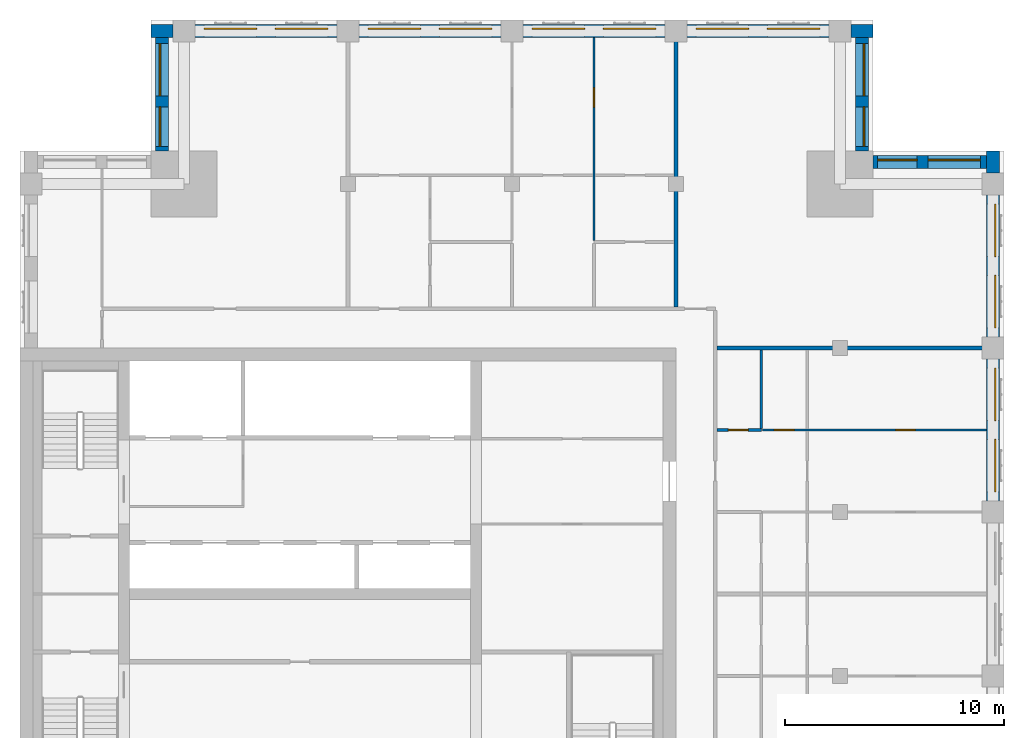
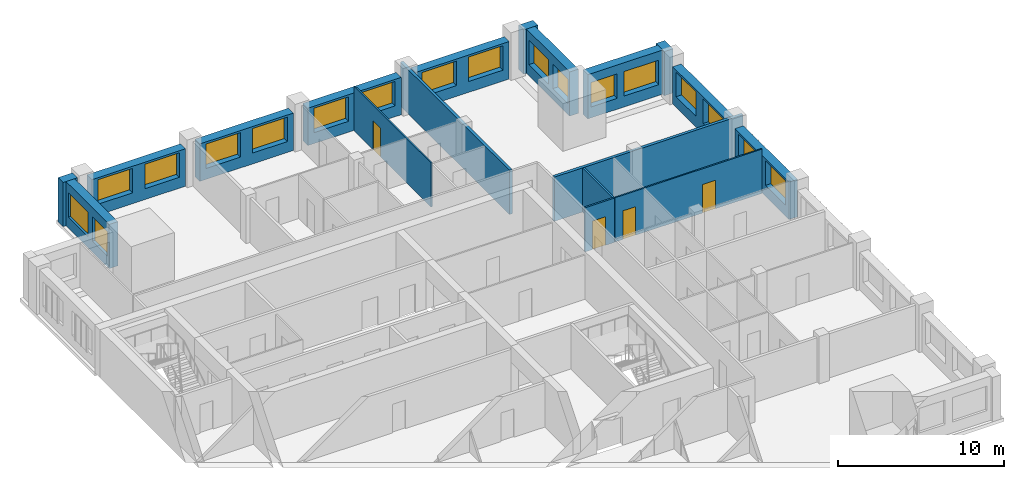
# One storey, part 7 of 10: 18 walls, 18 windows, 4 doors, 22 openings.
"""IFC4 building model written with IfcOpenShell, lengths in metres."""

from ifc_helpers import new_model, si_unit, direction, frame, frame_2d, origin, place, context, subcontext, project, spatial, rectangle, extrude, material, layer, layer_set, type_object, element, fill, save


model = new_model("IFC4")

# Units and contexts
model_context = context("Model", 3, precision=1e-05, world=origin(), true_north=direction((0.0, 1.0)))
body_context = subcontext(model_context, "Body", "Model", "MODEL_VIEW")
ifc_project = project(units=[si_unit("LENGTHUNIT", "METRE"), si_unit("AREAUNIT", "SQUARE_METRE"), si_unit("VOLUMEUNIT", "CUBIC_METRE"), si_unit("PLANEANGLEUNIT", "RADIAN"), si_unit("MASSUNIT", "GRAM", prefix="KILO")], contexts=[model_context])

# Site, building, storey
site_placement = place(None, origin())
site = spatial("IfcSite", under=ifc_project, at=site_placement, CompositionType="ELEMENT")
building_placement = place(site_placement, origin())
building = spatial("IfcBuilding", under=site, at=building_placement, Name="Tamorin Gate", CompositionType="ELEMENT")
storey_placement = place(building_placement, frame((0.0, 0.0, 269.699951171875)))
storey = spatial("IfcBuildingStorey", under=building, at=storey_placement, Name="L67", CompositionType="ELEMENT", Elevation=269.699951171875)

# Wall, openings, windows
ifc_material_1 = material(Name="Precast concrete C40/50", Category="concrete")
ifc_layer_1 = layer(ifc_material_1, 0.60009765625)
ifc_layer_set_1 = layer_set([ifc_layer_1], Name="Precast concrete C40/50")
wall_type_1 = type_object("IfcWallType", Name="Board-marked concrete facade panel 600", PredefinedType="SOLIDWALL", material=ifc_layer_set_1)
wall_1_placement = place(storey_placement, frame((74.5, 75.5, 0.0), z_axis=(0.0, 0.0, 1.0), x_axis=(0.0, 1.0, 0.0)))
wall_1 = element("IfcWall", 1, at=wall_1_placement, inside=storey, type_object=wall_type_1, Name="Facade panel", PredefinedType="SOLIDWALL", context=body_context, shape_type="SweptSolid", body=[
    extrude(rectangle(XDim=6.5, YDim=0.60009765625, at=frame_2d((3.25, 0.0))), origin(), (0.0, 0.0, 1.0), 2.75),
])
opening_1_placement = place(wall_1_placement, frame((0.425048828125, 0.0, 0.800048828125)))
opening_1 = element("IfcOpeningElement", 2, at=opening_1_placement, cuts=wall_1, Name="Opening WN1", PredefinedType="OPENING", context=body_context, shape_type="SweptSolid", body=[
    extrude(rectangle(XDim=2.39990234375, YDim=1.800048828125, at=frame_2d((1.199951171875, 0.89990234375))), frame((0.0, 0.31005859375, 0.0), z_axis=(0.0, -1.0, 0.0), x_axis=(1.0, 0.0, 0.0)), (0.0, 0.0, 1.0), 0.6201171875),
])
opening_2_placement = place(wall_1_placement, frame((3.675048828125, 0.0, 0.800048828125)))
opening_2 = element("IfcOpeningElement", 3, at=opening_2_placement, cuts=wall_1, Name="Opening WN1", PredefinedType="OPENING", context=body_context, shape_type="SweptSolid", body=[
    extrude(rectangle(XDim=2.39990234375, YDim=1.800048828125, at=frame_2d((1.199951171875, 0.89990234375))), frame((0.0, 0.31005859375, 0.0), z_axis=(0.0, -1.0, 0.0), x_axis=(1.0, 0.0, 0.0)), (0.0, 0.0, 1.0), 0.6201171875),
])
ifc_material_2 = material(Name="Clear glass in aluminium frame", Category="aluminium")
window_type_1 = type_object("IfcWindowType", Name="Deep-set window 2400x1800", PartitioningType="SINGLE_PANEL", PredefinedType="WINDOW", material=ifc_material_2)
window_1_placement = place(opening_1_placement, origin())
window_1 = element("IfcWindow", 4, at=window_1_placement, inside=storey, type_object=window_type_1, Name="Deep-set window", OverallHeight=1.800048828125, OverallWidth=2.39990234375, PartitioningType="SINGLE_PANEL", PredefinedType="WINDOW", context=body_context, shape_type="SweptSolid", body=[
    extrude(rectangle(XDim=2.39990234375, YDim=1.800048828125, at=frame_2d((1.199951171875, 0.89990234375))), frame((0.0, -0.070068359375, 0.0), z_axis=(0.0, -1.0, 0.0), x_axis=(1.0, 0.0, 0.0)), (0.0, 0.0, 1.0), 0.06005859375),
])
fill(opening_1, window_1)
window_2_placement = place(opening_2_placement, origin())
window_2 = element("IfcWindow", 5, at=window_2_placement, inside=storey, type_object=window_type_1, Name="Deep-set window", OverallHeight=1.800048828125, OverallWidth=2.39990234375, PartitioningType="SINGLE_PANEL", PredefinedType="WINDOW", context=body_context, shape_type="SweptSolid", body=[
    extrude(rectangle(XDim=2.39990234375, YDim=1.800048828125, at=frame_2d((1.199951171875, 0.89990234375))), frame((0.0, -0.070068359375, 0.0), z_axis=(0.0, -1.0, 0.0), x_axis=(1.0, 0.0, 0.0)), (0.0, 0.0, 1.0), 0.06005859375),
])
fill(opening_2, window_2)

wall_2_placement = place(storey_placement, frame((74.5, 83.0, 0.0), z_axis=(0.0, 0.0, 1.0), x_axis=(0.0, 1.0, 0.0)))
wall_2 = element("IfcWall", 6, at=wall_2_placement, inside=storey, type_object=wall_type_1, Name="Facade panel", PredefinedType="SOLIDWALL", context=body_context, shape_type="SweptSolid", body=[
    extrude(rectangle(XDim=6.5, YDim=0.60009765625, at=frame_2d((3.25, 0.0))), origin(), (0.0, 0.0, 1.0), 2.75),
])
opening_3_placement = place(wall_2_placement, frame((0.425048828125, 0.0, 0.800048828125)))
opening_3 = element("IfcOpeningElement", 7, at=opening_3_placement, cuts=wall_2, Name="Opening WN1", PredefinedType="OPENING", context=body_context, shape_type="SweptSolid", body=[
    extrude(rectangle(XDim=2.39990234375, YDim=1.800048828125, at=frame_2d((1.199951171875, 0.89990234375))), frame((0.0, 0.31005859375, 0.0), z_axis=(0.0, -1.0, 0.0), x_axis=(1.0, 0.0, 0.0)), (0.0, 0.0, 1.0), 0.6201171875),
])
opening_4_placement = place(wall_2_placement, frame((3.675048828125, 0.0, 0.800048828125)))
opening_4 = element("IfcOpeningElement", 8, at=opening_4_placement, cuts=wall_2, Name="Opening WN1", PredefinedType="OPENING", context=body_context, shape_type="SweptSolid", body=[
    extrude(rectangle(XDim=2.39990234375, YDim=1.800048828125, at=frame_2d((1.199951171875, 0.89990234375))), frame((0.0, 0.31005859375, 0.0), z_axis=(0.0, -1.0, 0.0), x_axis=(1.0, 0.0, 0.0)), (0.0, 0.0, 1.0), 0.6201171875),
])
window_3_placement = place(opening_3_placement, origin())
window_3 = element("IfcWindow", 9, at=window_3_placement, inside=storey, type_object=window_type_1, Name="Deep-set window", OverallHeight=1.800048828125, OverallWidth=2.39990234375, PartitioningType="SINGLE_PANEL", PredefinedType="WINDOW", context=body_context, shape_type="SweptSolid", body=[
    extrude(rectangle(XDim=2.39990234375, YDim=1.800048828125, at=frame_2d((1.199951171875, 0.89990234375))), frame((0.0, -0.070068359375, 0.0), z_axis=(0.0, -1.0, 0.0), x_axis=(1.0, 0.0, 0.0)), (0.0, 0.0, 1.0), 0.06005859375),
])
fill(opening_3, window_3)
window_4_placement = place(opening_4_placement, origin())
window_4 = element("IfcWindow", 10, at=window_4_placement, inside=storey, type_object=window_type_1, Name="Deep-set window", OverallHeight=1.800048828125, OverallWidth=2.39990234375, PartitioningType="SINGLE_PANEL", PredefinedType="WINDOW", context=body_context, shape_type="SweptSolid", body=[
    extrude(rectangle(XDim=2.39990234375, YDim=1.800048828125, at=frame_2d((1.199951171875, 0.89990234375))), frame((0.0, -0.070068359375, 0.0), z_axis=(0.0, -1.0, 0.0), x_axis=(1.0, 0.0, 0.0)), (0.0, 0.0, 1.0), 0.06005859375),
])
fill(opening_4, window_4)

# Wall
wall_3_placement = place(storey_placement, frame((74.5, 90.5, 0.0), z_axis=(0.0, 0.0, 1.0), x_axis=(0.0, 1.0, 0.0)))
element("IfcWall", 11, at=wall_3_placement, inside=storey, type_object=wall_type_1, Name="Facade panel", PredefinedType="SOLIDWALL", context=body_context, shape_type="SweptSolid", body=[
    extrude(rectangle(XDim=1.0, YDim=0.60009765625, at=frame_2d((0.5, 0.0))), origin(), (0.0, 0.0, 1.0), 3.25),
])

# Wall, openings, windows
wall_4_placement = place(storey_placement, frame((74.199951171875, 91.0, 0.0), z_axis=(0.0, 0.0, 1.0), x_axis=(-1.0, 0.0, 0.0)))
wall_4 = element("IfcWall", 12, at=wall_4_placement, inside=storey, type_object=wall_type_1, Name="Facade panel", PredefinedType="SOLIDWALL", context=body_context, shape_type="SweptSolid", body=[
    extrude(rectangle(XDim=5.199951171875, YDim=0.60009765625, at=frame_2d((2.60009765625, 0.0))), origin(), (0.0, 0.0, 1.0), 3.25),
])
opening_5_placement = place(wall_4_placement, frame((3.175048828125, 0.0, 0.800048828125)))
opening_5 = element("IfcOpeningElement", 13, at=opening_5_placement, cuts=wall_4, Name="Opening WN2", PredefinedType="OPENING", context=body_context, shape_type="SweptSolid", body=[
    extrude(rectangle(XDim=1.800048828125, YDim=1.800048828125, at=frame_2d((0.89990234375, 0.89990234375))), frame((0.0, 0.31005859375, 0.0), z_axis=(0.0, -1.0, 0.0), x_axis=(1.0, 0.0, 0.0)), (0.0, 0.0, 1.0), 0.6201171875),
])
opening_6_placement = place(wall_4_placement, frame((0.27490234375, 0.0, 0.800048828125)))
opening_6 = element("IfcOpeningElement", 14, at=opening_6_placement, cuts=wall_4, Name="Opening WN1", PredefinedType="OPENING", context=body_context, shape_type="SweptSolid", body=[
    extrude(rectangle(XDim=2.39990234375, YDim=1.800048828125, at=frame_2d((1.199951171875, 0.89990234375))), frame((0.0, 0.31005859375, 0.0), z_axis=(0.0, -1.0, 0.0), x_axis=(1.0, 0.0, 0.0)), (0.0, 0.0, 1.0), 0.6201171875),
])
window_type_2 = type_object("IfcWindowType", Name="Deep-set window 1800x1800", PartitioningType="SINGLE_PANEL", PredefinedType="WINDOW", material=ifc_material_2)
window_5_placement = place(opening_5_placement, origin())
window_5 = element("IfcWindow", 15, at=window_5_placement, inside=storey, type_object=window_type_2, Name="Deep-set window", OverallHeight=1.800048828125, OverallWidth=1.800048828125, PartitioningType="SINGLE_PANEL", PredefinedType="WINDOW", context=body_context, shape_type="SweptSolid", body=[
    extrude(rectangle(XDim=1.800048828125, YDim=1.800048828125, at=frame_2d((0.89990234375, 0.89990234375))), frame((0.0, -0.070068359375, 0.0), z_axis=(0.0, -1.0, 0.0), x_axis=(1.0, 0.0, 0.0)), (0.0, 0.0, 1.0), 0.06005859375),
])
fill(opening_5, window_5)
window_6_placement = place(opening_6_placement, origin())
window_6 = element("IfcWindow", 16, at=window_6_placement, inside=storey, type_object=window_type_1, Name="Deep-set window", OverallHeight=1.800048828125, OverallWidth=2.39990234375, PartitioningType="SINGLE_PANEL", PredefinedType="WINDOW", context=body_context, shape_type="SweptSolid", body=[
    extrude(rectangle(XDim=2.39990234375, YDim=1.800048828125, at=frame_2d((1.199951171875, 0.89990234375))), frame((0.0, -0.070068359375, 0.0), z_axis=(0.0, -1.0, 0.0), x_axis=(1.0, 0.0, 0.0)), (0.0, 0.0, 1.0), 0.06005859375),
])
fill(opening_6, window_6)

wall_5_placement = place(storey_placement, frame((68.5, 91.5, 0.0), z_axis=(0.0, 0.0, 1.0), x_axis=(0.0, 1.0, 0.0)))
wall_5 = element("IfcWall", 17, at=wall_5_placement, inside=storey, type_object=wall_type_1, Name="Facade panel", PredefinedType="SOLIDWALL", context=body_context, shape_type="SweptSolid", body=[
    extrude(rectangle(XDim=5.199951171875, YDim=0.60009765625, at=frame_2d((2.60009765625, 0.0))), origin(), (0.0, 0.0, 1.0), 3.25),
])
opening_7_placement = place(wall_5_placement, frame((0.22509765625, 0.0, 0.800048828125)))
opening_7 = element("IfcOpeningElement", 18, at=opening_7_placement, cuts=wall_5, Name="Opening WN2", PredefinedType="OPENING", context=body_context, shape_type="SweptSolid", body=[
    extrude(rectangle(XDim=1.800048828125, YDim=1.800048828125, at=frame_2d((0.89990234375, 0.89990234375))), frame((0.0, 0.31005859375, 0.0), z_axis=(0.0, -1.0, 0.0), x_axis=(1.0, 0.0, 0.0)), (0.0, 0.0, 1.0), 0.6201171875),
])
opening_8_placement = place(wall_5_placement, frame((2.52490234375, 0.0, 0.800048828125)))
opening_8 = element("IfcOpeningElement", 19, at=opening_8_placement, cuts=wall_5, Name="Opening WN1", PredefinedType="OPENING", context=body_context, shape_type="SweptSolid", body=[
    extrude(rectangle(XDim=2.39990234375, YDim=1.800048828125, at=frame_2d((1.199951171875, 0.89990234375))), frame((0.0, 0.31005859375, 0.0), z_axis=(0.0, -1.0, 0.0), x_axis=(1.0, 0.0, 0.0)), (0.0, 0.0, 1.0), 0.6201171875),
])
window_7_placement = place(opening_7_placement, origin())
window_7 = element("IfcWindow", 20, at=window_7_placement, inside=storey, type_object=window_type_2, Name="Deep-set window", OverallHeight=1.800048828125, OverallWidth=1.800048828125, PartitioningType="SINGLE_PANEL", PredefinedType="WINDOW", context=body_context, shape_type="SweptSolid", body=[
    extrude(rectangle(XDim=1.800048828125, YDim=1.800048828125, at=frame_2d((0.89990234375, 0.89990234375))), frame((0.0, -0.070068359375, 0.0), z_axis=(0.0, -1.0, 0.0), x_axis=(1.0, 0.0, 0.0)), (0.0, 0.0, 1.0), 0.06005859375),
])
fill(opening_7, window_7)
window_8_placement = place(opening_8_placement, origin())
window_8 = element("IfcWindow", 21, at=window_8_placement, inside=storey, type_object=window_type_1, Name="Deep-set window", OverallHeight=1.800048828125, OverallWidth=2.39990234375, PartitioningType="SINGLE_PANEL", PredefinedType="WINDOW", context=body_context, shape_type="SweptSolid", body=[
    extrude(rectangle(XDim=2.39990234375, YDim=1.800048828125, at=frame_2d((1.199951171875, 0.89990234375))), frame((0.0, -0.070068359375, 0.0), z_axis=(0.0, -1.0, 0.0), x_axis=(1.0, 0.0, 0.0)), (0.0, 0.0, 1.0), 0.06005859375),
])
fill(opening_8, window_8)

# Wall
wall_6_placement = place(storey_placement, frame((69.0, 97.0, 0.0), z_axis=(0.0, 0.0, 1.0), x_axis=(-1.0, 0.0, 0.0)))
element("IfcWall", 22, at=wall_6_placement, inside=storey, type_object=wall_type_1, Name="Facade panel", PredefinedType="SOLIDWALL", context=body_context, shape_type="SweptSolid", body=[
    extrude(rectangle(XDim=1.0, YDim=0.60009765625, at=frame_2d((0.5, 0.0))), origin(), (0.0, 0.0, 1.0), 3.25),
])

# Wall, openings, windows
wall_7_placement = place(storey_placement, frame((67.0, 97.0, 0.0), z_axis=(0.0, 0.0, 1.0), x_axis=(-1.0, 0.0, 0.0)))
wall_7 = element("IfcWall", 23, at=wall_7_placement, inside=storey, type_object=wall_type_1, Name="Facade panel", PredefinedType="SOLIDWALL", context=body_context, shape_type="SweptSolid", body=[
    extrude(rectangle(XDim=6.5, YDim=0.60009765625, at=frame_2d((3.25, 0.0))), origin(), (0.0, 0.0, 1.0), 2.75),
])
opening_9_placement = place(wall_7_placement, frame((3.675048828125, 0.0, 0.800048828125)))
opening_9 = element("IfcOpeningElement", 24, at=opening_9_placement, cuts=wall_7, Name="Opening WN1", PredefinedType="OPENING", context=body_context, shape_type="SweptSolid", body=[
    extrude(rectangle(XDim=2.39990234375, YDim=1.800048828125, at=frame_2d((1.199951171875, 0.89990234375))), frame((0.0, 0.31005859375, 0.0), z_axis=(0.0, -1.0, 0.0), x_axis=(1.0, 0.0, 0.0)), (0.0, 0.0, 1.0), 0.6201171875),
])
opening_10_placement = place(wall_7_placement, frame((0.425048828125, 0.0, 0.800048828125)))
opening_10 = element("IfcOpeningElement", 25, at=opening_10_placement, cuts=wall_7, Name="Opening WN1", PredefinedType="OPENING", context=body_context, shape_type="SweptSolid", body=[
    extrude(rectangle(XDim=2.39990234375, YDim=1.800048828125, at=frame_2d((1.199951171875, 0.89990234375))), frame((0.0, 0.31005859375, 0.0), z_axis=(0.0, -1.0, 0.0), x_axis=(1.0, 0.0, 0.0)), (0.0, 0.0, 1.0), 0.6201171875),
])
window_9_placement = place(opening_9_placement, origin())
window_9 = element("IfcWindow", 26, at=window_9_placement, inside=storey, type_object=window_type_1, Name="Deep-set window", OverallHeight=1.800048828125, OverallWidth=2.39990234375, PartitioningType="SINGLE_PANEL", PredefinedType="WINDOW", context=body_context, shape_type="SweptSolid", body=[
    extrude(rectangle(XDim=2.39990234375, YDim=1.800048828125, at=frame_2d((1.199951171875, 0.89990234375))), frame((0.0, -0.070068359375, 0.0), z_axis=(0.0, -1.0, 0.0), x_axis=(1.0, 0.0, 0.0)), (0.0, 0.0, 1.0), 0.06005859375),
])
fill(opening_9, window_9)
window_10_placement = place(opening_10_placement, origin())
window_10 = element("IfcWindow", 27, at=window_10_placement, inside=storey, type_object=window_type_1, Name="Deep-set window", OverallHeight=1.800048828125, OverallWidth=2.39990234375, PartitioningType="SINGLE_PANEL", PredefinedType="WINDOW", context=body_context, shape_type="SweptSolid", body=[
    extrude(rectangle(XDim=2.39990234375, YDim=1.800048828125, at=frame_2d((1.199951171875, 0.89990234375))), frame((0.0, -0.070068359375, 0.0), z_axis=(0.0, -1.0, 0.0), x_axis=(1.0, 0.0, 0.0)), (0.0, 0.0, 1.0), 0.06005859375),
])
fill(opening_10, window_10)

wall_8_placement = place(storey_placement, frame((59.5, 97.0, 0.0), z_axis=(0.0, 0.0, 1.0), x_axis=(-1.0, 0.0, 0.0)))
wall_8 = element("IfcWall", 28, at=wall_8_placement, inside=storey, type_object=wall_type_1, Name="Facade panel", PredefinedType="SOLIDWALL", context=body_context, shape_type="SweptSolid", body=[
    extrude(rectangle(XDim=6.5, YDim=0.60009765625, at=frame_2d((3.25, 0.0))), origin(), (0.0, 0.0, 1.0), 2.75),
])
opening_11_placement = place(wall_8_placement, frame((3.675048828125, 0.0, 0.800048828125)))
opening_11 = element("IfcOpeningElement", 29, at=opening_11_placement, cuts=wall_8, Name="Opening WN1", PredefinedType="OPENING", context=body_context, shape_type="SweptSolid", body=[
    extrude(rectangle(XDim=2.39990234375, YDim=1.800048828125, at=frame_2d((1.199951171875, 0.89990234375))), frame((0.0, 0.31005859375, 0.0), z_axis=(0.0, -1.0, 0.0), x_axis=(1.0, 0.0, 0.0)), (0.0, 0.0, 1.0), 0.6201171875),
])
opening_12_placement = place(wall_8_placement, frame((0.425048828125, 0.0, 0.800048828125)))
opening_12 = element("IfcOpeningElement", 30, at=opening_12_placement, cuts=wall_8, Name="Opening WN1", PredefinedType="OPENING", context=body_context, shape_type="SweptSolid", body=[
    extrude(rectangle(XDim=2.39990234375, YDim=1.800048828125, at=frame_2d((1.199951171875, 0.89990234375))), frame((0.0, 0.31005859375, 0.0), z_axis=(0.0, -1.0, 0.0), x_axis=(1.0, 0.0, 0.0)), (0.0, 0.0, 1.0), 0.6201171875),
])
window_11_placement = place(opening_11_placement, origin())
window_11 = element("IfcWindow", 31, at=window_11_placement, inside=storey, type_object=window_type_1, Name="Deep-set window", OverallHeight=1.800048828125, OverallWidth=2.39990234375, PartitioningType="SINGLE_PANEL", PredefinedType="WINDOW", context=body_context, shape_type="SweptSolid", body=[
    extrude(rectangle(XDim=2.39990234375, YDim=1.800048828125, at=frame_2d((1.199951171875, 0.89990234375))), frame((0.0, -0.070068359375, 0.0), z_axis=(0.0, -1.0, 0.0), x_axis=(1.0, 0.0, 0.0)), (0.0, 0.0, 1.0), 0.06005859375),
])
fill(opening_11, window_11)
window_12_placement = place(opening_12_placement, origin())
window_12 = element("IfcWindow", 32, at=window_12_placement, inside=storey, type_object=window_type_1, Name="Deep-set window", OverallHeight=1.800048828125, OverallWidth=2.39990234375, PartitioningType="SINGLE_PANEL", PredefinedType="WINDOW", context=body_context, shape_type="SweptSolid", body=[
    extrude(rectangle(XDim=2.39990234375, YDim=1.800048828125, at=frame_2d((1.199951171875, 0.89990234375))), frame((0.0, -0.070068359375, 0.0), z_axis=(0.0, -1.0, 0.0), x_axis=(1.0, 0.0, 0.0)), (0.0, 0.0, 1.0), 0.06005859375),
])
fill(opening_12, window_12)

wall_9_placement = place(storey_placement, frame((52.0, 97.0, 0.0), z_axis=(0.0, 0.0, 1.0), x_axis=(-1.0, 0.0, 0.0)))
wall_9 = element("IfcWall", 33, at=wall_9_placement, inside=storey, type_object=wall_type_1, Name="Facade panel", PredefinedType="SOLIDWALL", context=body_context, shape_type="SweptSolid", body=[
    extrude(rectangle(XDim=6.5, YDim=0.60009765625, at=frame_2d((3.25, 0.0))), origin(), (0.0, 0.0, 1.0), 2.75),
])
opening_13_placement = place(wall_9_placement, frame((3.675048828125, 0.0, 0.800048828125)))
opening_13 = element("IfcOpeningElement", 34, at=opening_13_placement, cuts=wall_9, Name="Opening WN1", PredefinedType="OPENING", context=body_context, shape_type="SweptSolid", body=[
    extrude(rectangle(XDim=2.39990234375, YDim=1.800048828125, at=frame_2d((1.199951171875, 0.89990234375))), frame((0.0, 0.31005859375, 0.0), z_axis=(0.0, -1.0, 0.0), x_axis=(1.0, 0.0, 0.0)), (0.0, 0.0, 1.0), 0.6201171875),
])
opening_14_placement = place(wall_9_placement, frame((0.425048828125, 0.0, 0.800048828125)))
opening_14 = element("IfcOpeningElement", 35, at=opening_14_placement, cuts=wall_9, Name="Opening WN1", PredefinedType="OPENING", context=body_context, shape_type="SweptSolid", body=[
    extrude(rectangle(XDim=2.39990234375, YDim=1.800048828125, at=frame_2d((1.199951171875, 0.89990234375))), frame((0.0, 0.31005859375, 0.0), z_axis=(0.0, -1.0, 0.0), x_axis=(1.0, 0.0, 0.0)), (0.0, 0.0, 1.0), 0.6201171875),
])
window_13_placement = place(opening_13_placement, origin())
window_13 = element("IfcWindow", 36, at=window_13_placement, inside=storey, type_object=window_type_1, Name="Deep-set window", OverallHeight=1.800048828125, OverallWidth=2.39990234375, PartitioningType="SINGLE_PANEL", PredefinedType="WINDOW", context=body_context, shape_type="SweptSolid", body=[
    extrude(rectangle(XDim=2.39990234375, YDim=1.800048828125, at=frame_2d((1.199951171875, 0.89990234375))), frame((0.0, -0.070068359375, 0.0), z_axis=(0.0, -1.0, 0.0), x_axis=(1.0, 0.0, 0.0)), (0.0, 0.0, 1.0), 0.06005859375),
])
fill(opening_13, window_13)
window_14_placement = place(opening_14_placement, origin())
window_14 = element("IfcWindow", 37, at=window_14_placement, inside=storey, type_object=window_type_1, Name="Deep-set window", OverallHeight=1.800048828125, OverallWidth=2.39990234375, PartitioningType="SINGLE_PANEL", PredefinedType="WINDOW", context=body_context, shape_type="SweptSolid", body=[
    extrude(rectangle(XDim=2.39990234375, YDim=1.800048828125, at=frame_2d((1.199951171875, 0.89990234375))), frame((0.0, -0.070068359375, 0.0), z_axis=(0.0, -1.0, 0.0), x_axis=(1.0, 0.0, 0.0)), (0.0, 0.0, 1.0), 0.06005859375),
])
fill(opening_14, window_14)

wall_10_placement = place(storey_placement, frame((44.5, 97.0, 0.0), z_axis=(0.0, 0.0, 1.0), x_axis=(-1.0, 0.0, 0.0)))
wall_10 = element("IfcWall", 38, at=wall_10_placement, inside=storey, type_object=wall_type_1, Name="Facade panel", PredefinedType="SOLIDWALL", context=body_context, shape_type="SweptSolid", body=[
    extrude(rectangle(XDim=6.5, YDim=0.60009765625, at=frame_2d((3.25, 0.0))), origin(), (0.0, 0.0, 1.0), 2.75),
])
opening_15_placement = place(wall_10_placement, frame((3.675048828125, 0.0, 0.800048828125)))
opening_15 = element("IfcOpeningElement", 39, at=opening_15_placement, cuts=wall_10, Name="Opening WN1", PredefinedType="OPENING", context=body_context, shape_type="SweptSolid", body=[
    extrude(rectangle(XDim=2.39990234375, YDim=1.800048828125, at=frame_2d((1.199951171875, 0.89990234375))), frame((0.0, 0.31005859375, 0.0), z_axis=(0.0, -1.0, 0.0), x_axis=(1.0, 0.0, 0.0)), (0.0, 0.0, 1.0), 0.6201171875),
])
opening_16_placement = place(wall_10_placement, frame((0.425048828125, 0.0, 0.800048828125)))
opening_16 = element("IfcOpeningElement", 40, at=opening_16_placement, cuts=wall_10, Name="Opening WN1", PredefinedType="OPENING", context=body_context, shape_type="SweptSolid", body=[
    extrude(rectangle(XDim=2.39990234375, YDim=1.800048828125, at=frame_2d((1.199951171875, 0.89990234375))), frame((0.0, 0.31005859375, 0.0), z_axis=(0.0, -1.0, 0.0), x_axis=(1.0, 0.0, 0.0)), (0.0, 0.0, 1.0), 0.6201171875),
])
window_15_placement = place(opening_15_placement, origin())
window_15 = element("IfcWindow", 41, at=window_15_placement, inside=storey, type_object=window_type_1, Name="Deep-set window", OverallHeight=1.800048828125, OverallWidth=2.39990234375, PartitioningType="SINGLE_PANEL", PredefinedType="WINDOW", context=body_context, shape_type="SweptSolid", body=[
    extrude(rectangle(XDim=2.39990234375, YDim=1.800048828125, at=frame_2d((1.199951171875, 0.89990234375))), frame((0.0, -0.070068359375, 0.0), z_axis=(0.0, -1.0, 0.0), x_axis=(1.0, 0.0, 0.0)), (0.0, 0.0, 1.0), 0.06005859375),
])
fill(opening_15, window_15)
window_16_placement = place(opening_16_placement, origin())
window_16 = element("IfcWindow", 42, at=window_16_placement, inside=storey, type_object=window_type_1, Name="Deep-set window", OverallHeight=1.800048828125, OverallWidth=2.39990234375, PartitioningType="SINGLE_PANEL", PredefinedType="WINDOW", context=body_context, shape_type="SweptSolid", body=[
    extrude(rectangle(XDim=2.39990234375, YDim=1.800048828125, at=frame_2d((1.199951171875, 0.89990234375))), frame((0.0, -0.070068359375, 0.0), z_axis=(0.0, -1.0, 0.0), x_axis=(1.0, 0.0, 0.0)), (0.0, 0.0, 1.0), 0.06005859375),
])
fill(opening_16, window_16)

# Wall
wall_11_placement = place(storey_placement, frame((37.0, 97.0, 0.0), z_axis=(0.0, 0.0, 1.0), x_axis=(-1.0, 0.0, 0.0)))
element("IfcWall", 43, at=wall_11_placement, inside=storey, type_object=wall_type_1, Name="Facade panel", PredefinedType="SOLIDWALL", context=body_context, shape_type="SweptSolid", body=[
    extrude(rectangle(XDim=1.0, YDim=0.60009765625, at=frame_2d((0.5, 0.0))), origin(), (0.0, 0.0, 1.0), 3.25),
])

# Wall, openings, windows
wall_12_placement = place(storey_placement, frame((36.5, 96.699951171875, 0.0), z_axis=(0.0, 0.0, 1.0), x_axis=(0.0, -1.0, 0.0)))
wall_12 = element("IfcWall", 44, at=wall_12_placement, inside=storey, type_object=wall_type_1, Name="Facade panel", PredefinedType="SOLIDWALL", context=body_context, shape_type="SweptSolid", body=[
    extrude(rectangle(XDim=5.199951171875, YDim=0.60009765625, at=frame_2d((2.60009765625, 0.0))), origin(), (0.0, 0.0, 1.0), 3.25),
])
opening_17_placement = place(wall_12_placement, frame((3.175048828125, 0.0, 0.800048828125)))
opening_17 = element("IfcOpeningElement", 45, at=opening_17_placement, cuts=wall_12, Name="Opening WN2", PredefinedType="OPENING", context=body_context, shape_type="SweptSolid", body=[
    extrude(rectangle(XDim=1.800048828125, YDim=1.800048828125, at=frame_2d((0.89990234375, 0.89990234375))), frame((0.0, 0.31005859375, 0.0), z_axis=(0.0, -1.0, 0.0), x_axis=(1.0, 0.0, 0.0)), (0.0, 0.0, 1.0), 0.6201171875),
])
opening_18_placement = place(wall_12_placement, frame((0.27490234375, 0.0, 0.800048828125)))
opening_18 = element("IfcOpeningElement", 46, at=opening_18_placement, cuts=wall_12, Name="Opening WN1", PredefinedType="OPENING", context=body_context, shape_type="SweptSolid", body=[
    extrude(rectangle(XDim=2.39990234375, YDim=1.800048828125, at=frame_2d((1.199951171875, 0.89990234375))), frame((0.0, 0.31005859375, 0.0), z_axis=(0.0, -1.0, 0.0), x_axis=(1.0, 0.0, 0.0)), (0.0, 0.0, 1.0), 0.6201171875),
])
window_17_placement = place(opening_17_placement, origin())
window_17 = element("IfcWindow", 47, at=window_17_placement, inside=storey, type_object=window_type_2, Name="Deep-set window", OverallHeight=1.800048828125, OverallWidth=1.800048828125, PartitioningType="SINGLE_PANEL", PredefinedType="WINDOW", context=body_context, shape_type="SweptSolid", body=[
    extrude(rectangle(XDim=1.800048828125, YDim=1.800048828125, at=frame_2d((0.89990234375, 0.89990234375))), frame((0.0, -0.070068359375, 0.0), z_axis=(0.0, -1.0, 0.0), x_axis=(1.0, 0.0, 0.0)), (0.0, 0.0, 1.0), 0.06005859375),
])
fill(opening_17, window_17)
window_18_placement = place(opening_18_placement, origin())
window_18 = element("IfcWindow", 48, at=window_18_placement, inside=storey, type_object=window_type_1, Name="Deep-set window", OverallHeight=1.800048828125, OverallWidth=2.39990234375, PartitioningType="SINGLE_PANEL", PredefinedType="WINDOW", context=body_context, shape_type="SweptSolid", body=[
    extrude(rectangle(XDim=2.39990234375, YDim=1.800048828125, at=frame_2d((1.199951171875, 0.89990234375))), frame((0.0, -0.070068359375, 0.0), z_axis=(0.0, -1.0, 0.0), x_axis=(1.0, 0.0, 0.0)), (0.0, 0.0, 1.0), 0.06005859375),
])
fill(opening_18, window_18)

# Walls
ifc_material_3 = material(Name="Gypsum board partition")
ifc_layer_2 = layer(ifc_material_3, 0.199951171875)
ifc_layer_set_2 = layer_set([ifc_layer_2], Name="Demising wall 200")
wall_type_2 = type_object("IfcWallType", Name="Demising wall 200", PredefinedType="PARTITIONING", material=ifc_layer_set_2)
for number, where, z_axis, x_axis, name in (
    (49, (61.875, 82.5, 0.0), (0.0, 0.0, 1.0), (1.0, 0.0, 0.0), "Demising wall 200"),
    (50, (60.0, 84.375, 0.0), (0.0, 0.0, 1.0), (0.0, 1.0, 0.0), "Demising wall 200"),
):
    element("IfcWall", number, at=place(storey_placement, frame(where, z_axis=z_axis, x_axis=x_axis)), inside=storey, type_object=wall_type_2, Name=name, PredefinedType="PARTITIONING", context=body_context, shape_type="SweptSolid", body=[
        extrude(rectangle(XDim=13.125, YDim=0.199951171875, at=frame_2d((6.5625, 0.0))), origin(), (0.0, 0.0, 1.0), 3.25),
    ])

# Wall, openings, doors
ifc_layer_3 = layer(ifc_material_3, 0.10009765625)
ifc_layer_set_3 = layer_set([ifc_layer_3], Name="Room partition 100")
wall_type_3 = type_object("IfcWallType", Name="Room partition 100", PredefinedType="PARTITIONING", material=ifc_layer_set_3)
wall_13_placement = place(storey_placement, frame((63.96240234375, 78.75, 0.0), z_axis=(0.0, 0.0, 1.0), x_axis=(1.0, 0.0, 0.0)))
wall_13 = element("IfcWall", 51, at=wall_13_placement, inside=storey, type_object=wall_type_3, Name="Room partition 100", PredefinedType="PARTITIONING", context=body_context, shape_type="SweptSolid", body=[
    extrude(rectangle(XDim=10.2275390625, YDim=0.10009765625, at=frame_2d((5.11376953125, 0.0))), origin(), (0.0, 0.0, 1.0), 3.25),
])
opening_19_placement = place(wall_13_placement, frame((0.53759765625, 0.0, 0.0)))
opening_19 = element("IfcOpeningElement", 52, at=opening_19_placement, cuts=wall_13, Name="Opening DR9040", PredefinedType="OPENING", context=body_context, shape_type="SweptSolid", body=[
    extrude(rectangle(XDim=0.89990234375, YDim=2.10009765625, at=frame_2d((0.449951171875, 1.050048828125))), frame((0.0, 0.06005859375, 0.0), z_axis=(0.0, -1.0, 0.0), x_axis=(1.0, 0.0, 0.0)), (0.0, 0.0, 1.0), 0.1201171875),
])
opening_20_placement = place(wall_13_placement, frame((6.08740234375, 0.0, 0.0)))
opening_20 = element("IfcOpeningElement", 53, at=opening_20_placement, cuts=wall_13, Name="Opening DR9043", PredefinedType="OPENING", context=body_context, shape_type="SweptSolid", body=[
    extrude(rectangle(XDim=0.89990234375, YDim=2.10009765625, at=frame_2d((0.449951171875, 1.050048828125))), frame((0.0, 0.06005859375, 0.0), z_axis=(0.0, -1.0, 0.0), x_axis=(1.0, 0.0, 0.0)), (0.0, 0.0, 1.0), 0.1201171875),
])
ifc_material_4 = material(Name="Timber door leaf", Category="wood")
door_type = type_object("IfcDoorType", Name="Door 900 x 2100", OperationType="NOTDEFINED", PredefinedType="DOOR", material=ifc_material_4)
door_1_placement = place(opening_19_placement, origin())
door_1 = element("IfcDoor", 54, at=door_1_placement, inside=storey, type_object=door_type, Name="Door DR9040", OperationType="SINGLE_SWING_RIGHT", OverallHeight=2.10009765625, OverallWidth=0.89990234375, PredefinedType="DOOR", context=body_context, shape_type="SweptSolid", body=[
    extrude(rectangle(XDim=0.89990234375, YDim=2.10009765625, at=frame_2d((0.449951171875, 1.050048828125))), frame((0.0, 0.02490234375, 0.0), z_axis=(0.0, -1.0, 0.0), x_axis=(1.0, 0.0, 0.0)), (0.0, 0.0, 1.0), 0.050048828125),
])
fill(opening_19, door_1)
door_2_placement = place(opening_20_placement, origin())
door_2 = element("IfcDoor", 55, at=door_2_placement, inside=storey, type_object=door_type, Name="Door DR9043", OperationType="SINGLE_SWING_RIGHT", OverallHeight=2.10009765625, OverallWidth=0.89990234375, PredefinedType="DOOR", context=body_context, shape_type="SweptSolid", body=[
    extrude(rectangle(XDim=0.89990234375, YDim=2.10009765625, at=frame_2d((0.449951171875, 1.050048828125))), frame((0.0, 0.02490234375, 0.0), z_axis=(0.0, -1.0, 0.0), x_axis=(1.0, 0.0, 0.0)), (0.0, 0.0, 1.0), 0.050048828125),
])
fill(opening_20, door_2)

# Wall, opening, door
wall_14_placement = place(storey_placement, frame((56.25, 87.41259765625, 0.0), z_axis=(0.0, 0.0, 1.0), x_axis=(0.0, 1.0, 0.0)))
wall_14 = element("IfcWall", 56, at=wall_14_placement, inside=storey, type_object=wall_type_3, Name="Room partition 100", PredefinedType="PARTITIONING", context=body_context, shape_type="SweptSolid", body=[
    extrude(rectangle(XDim=9.27734375, YDim=0.10009765625, at=frame_2d((4.638671875, 0.0))), origin(), (0.0, 0.0, 1.0), 3.25),
])
opening_21_placement = place(wall_14_placement, frame((6.08740234375, 0.0, 0.0)))
opening_21 = element("IfcOpeningElement", 57, at=opening_21_placement, cuts=wall_14, Name="Opening DR9027", PredefinedType="OPENING", context=body_context, shape_type="SweptSolid", body=[
    extrude(rectangle(XDim=0.89990234375, YDim=2.10009765625, at=frame_2d((0.449951171875, 1.050048828125))), frame((0.0, 0.06005859375, 0.0), z_axis=(0.0, -1.0, 0.0), x_axis=(1.0, 0.0, 0.0)), (0.0, 0.0, 1.0), 0.1201171875),
])
door_3_placement = place(opening_21_placement, origin())
door_3 = element("IfcDoor", 58, at=door_3_placement, inside=storey, type_object=door_type, Name="Door DR9027", OperationType="SINGLE_SWING_RIGHT", OverallHeight=2.10009765625, OverallWidth=0.89990234375, PredefinedType="DOOR", context=body_context, shape_type="SweptSolid", body=[
    extrude(rectangle(XDim=0.89990234375, YDim=2.10009765625, at=frame_2d((0.449951171875, 1.050048828125))), frame((0.0, 0.02490234375, 0.0), z_axis=(0.0, -1.0, 0.0), x_axis=(1.0, 0.0, 0.0)), (0.0, 0.0, 1.0), 0.050048828125),
])
fill(opening_21, door_3)

ifc_layer_4 = layer(ifc_material_3, 0.125)
ifc_layer_set_4 = layer_set([ifc_layer_4], Name="Wet wall 125")
wall_type_4 = type_object("IfcWallType", Name="Wet wall 125", PredefinedType="PARTITIONING", material=ifc_layer_set_4)
wall_15_placement = place(storey_placement, frame((61.875, 78.75, 0.0), z_axis=(0.0, 0.0, 1.0), x_axis=(1.0, 0.0, 0.0)))
wall_15 = element("IfcWall", 59, at=wall_15_placement, inside=storey, type_object=wall_type_4, Name="Wet wall 125", PredefinedType="PARTITIONING", context=body_context, shape_type="SweptSolid", body=[
    extrude(rectangle(XDim=2.02490234375, YDim=0.125, at=frame_2d((1.012451171875, 0.0))), origin(), (0.0, 0.0, 1.0), 3.25),
])
opening_22_placement = place(wall_15_placement, frame((0.52490234375, 0.0, 0.0)))
opening_22 = element("IfcOpeningElement", 60, at=opening_22_placement, cuts=wall_15, Name="Opening DR9041", PredefinedType="OPENING", context=body_context, shape_type="SweptSolid", body=[
    extrude(rectangle(XDim=0.89990234375, YDim=2.10009765625, at=frame_2d((0.449951171875, 1.050048828125))), frame((0.0, 0.072509765625, 0.0), z_axis=(0.0, -1.0, 0.0), x_axis=(1.0, 0.0, 0.0)), (0.0, 0.0, 1.0), 0.14501953125),
])
door_4_placement = place(opening_22_placement, origin())
door_4 = element("IfcDoor", 61, at=door_4_placement, inside=storey, type_object=door_type, Name="Door DR9041", OperationType="SINGLE_SWING_RIGHT", OverallHeight=2.10009765625, OverallWidth=0.89990234375, PredefinedType="DOOR", context=body_context, shape_type="SweptSolid", body=[
    extrude(rectangle(XDim=0.89990234375, YDim=2.10009765625, at=frame_2d((0.449951171875, 1.050048828125))), frame((0.0, 0.02490234375, 0.0), z_axis=(0.0, -1.0, 0.0), x_axis=(1.0, 0.0, 0.0)), (0.0, 0.0, 1.0), 0.050048828125),
])
fill(opening_22, door_4)

# Wall
wall_16_placement = place(storey_placement, frame((63.89990234375, 78.8125, 0.0), z_axis=(0.0, 0.0, 1.0), x_axis=(0.0, 1.0, 0.0)))
element("IfcWall", 62, at=wall_16_placement, inside=storey, type_object=wall_type_4, Name="Wet wall 125", PredefinedType="PARTITIONING", context=body_context, shape_type="SweptSolid", body=[
    extrude(rectangle(XDim=3.58740234375, YDim=0.125, at=frame_2d((1.793701171875, 0.0))), origin(), (0.0, 0.0, 1.0), 3.25),
])

save(model, "model.ifc")
